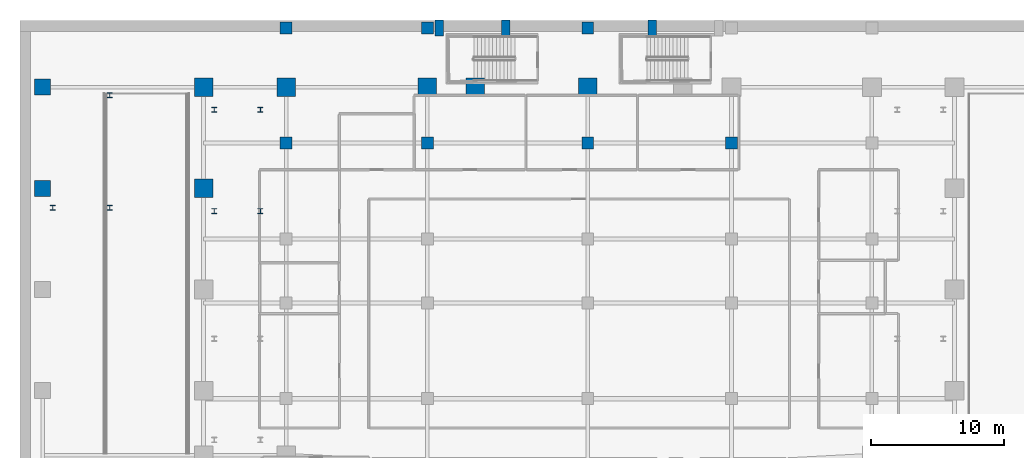
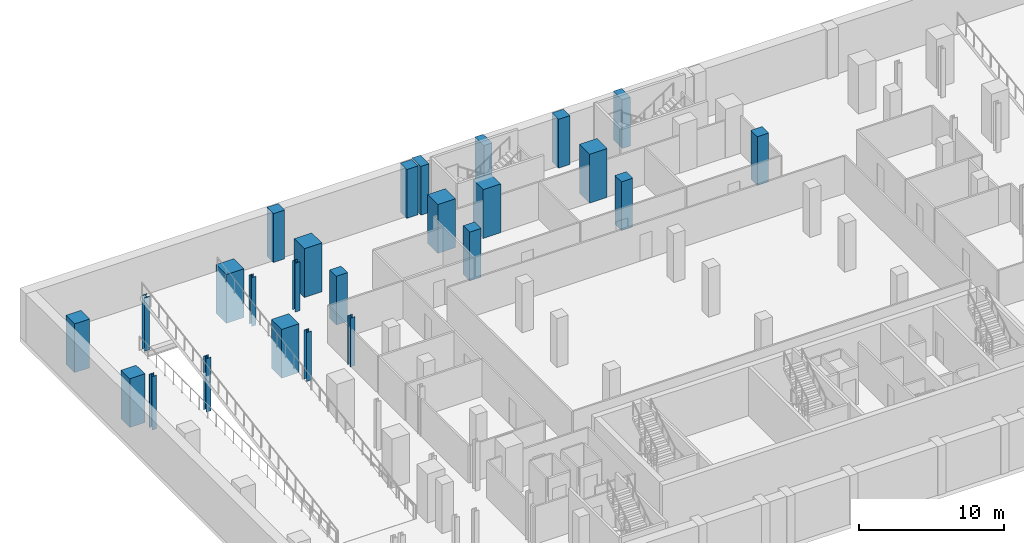
# One storey, part 3 of 18: 25 columns.
"""IFC4 building model written with IfcOpenShell, lengths in metres."""

from ifc_helpers import new_model, si_unit, direction, frame, origin, origin_2d, place, context, subcontext, project, spatial, rectangle, i_section, extrude, material, material_profile, profile_set, type_object, element, save


model = new_model("IFC4")

# Units and contexts
model_context = context("Model", 3, precision=1e-05, world=origin(), true_north=direction((0.0, 1.0)))
body_context = subcontext(model_context, "Body", "Model", "MODEL_VIEW")
ifc_project = project(units=[si_unit("LENGTHUNIT", "METRE"), si_unit("AREAUNIT", "SQUARE_METRE"), si_unit("VOLUMEUNIT", "CUBIC_METRE"), si_unit("PLANEANGLEUNIT", "RADIAN"), si_unit("MASSUNIT", "GRAM", prefix="KILO")], contexts=[model_context])

# Site, building, storey
site_placement = place(None, origin())
site = spatial("IfcSite", under=ifc_project, at=site_placement, CompositionType="ELEMENT")
building_placement = place(site_placement, origin())
building = spatial("IfcBuilding", under=site, at=building_placement, Name="Ndaravel Arena Tower", CompositionType="ELEMENT")
storey_placement = place(building_placement, frame((0.0, 0.0, -4.5)))
storey = spatial("IfcBuildingStorey", under=building, at=storey_placement, Name="B01", CompositionType="ELEMENT", Elevation=-4.5)

# Columns
ifc_material_1 = material(Name="Concrete C40/50", Category="concrete")
ifc_material_profile_1 = material_profile(ifc_material_1, rectangle(XDim=0.89990234375, YDim=0.89990234375, at=origin_2d()), Name="RC 900x900")
ifc_profile_set_1 = profile_set([ifc_material_profile_1], Name="Concrete C40/50")
column_type_1 = type_object("IfcColumnType", Name="COL-BSMT-RC900", PredefinedType="COLUMN", material=ifc_profile_set_1)
for number, where, z_axis, x_axis, name in (
    (1, (20.0, 47.449951171875, 0.0), (0.0, 0.0, 1.0), (1.0, 0.0, 0.0), "B01 North Concourse Column 1"),
    (2, (30.60009765625, 47.449951171875, 0.0), (0.0, 0.0, 1.0), (1.0, 0.0, 0.0), "B01 North Concourse Column 2"),
    (3, (42.64990234375, 47.449951171875, 0.0), (0.0, 0.0, 1.0), (1.0, 0.0, 0.0), "B01 North Concourse Column 3"),
    (4, (20.0, 38.800048828125, 0.0), (0.0, 0.0, 1.0), (1.0, 0.0, 0.0), "B01 Sub-Court Column 04"),
    (5, (30.60009765625, 38.800048828125, 0.0), (0.0, 0.0, 1.0), (1.0, 0.0, 0.0), "B01 Sub-Court Column 08"),
    (6, (42.64990234375, 38.800048828125, 0.0), (0.0, 0.0, 1.0), (1.0, 0.0, 0.0), "B01 Sub-Court Column 12"),
    (7, (53.449951171875, 38.800048828125, 0.0), (0.0, 0.0, 1.0), (1.0, 0.0, 0.0), "B01 Sub-Court Column 16"),
):
    element("IfcColumn", number, at=place(storey_placement, frame(where, z_axis=z_axis, x_axis=x_axis)), inside=storey, type_object=column_type_1, Name=name, PredefinedType="COLUMN", context=body_context, shape_type="SweptSolid", body=[
        extrude(rectangle(XDim=0.89990234375, YDim=0.89990234375, at=origin_2d()), origin(), (0.0, 0.0, 1.0), 4.10009765625),
    ])
ifc_material_2 = material(Name="Steel S355", Category="steel")
ifc_material_profile_2 = material_profile(ifc_material_2, i_section(OverallWidth=0.374755859375, OverallDepth=0.37451171875, WebThickness=0.0166015625, FlangeThickness=0.027099609375, FilletRadius=0.01513671875, at=origin_2d()), Name="UC 356x368x202")
ifc_profile_set_2 = profile_set([ifc_material_profile_2], Name="Steel S355")
column_type_2 = type_object("IfcColumnType", Name="COL-CRN-UC202", PredefinedType="COLUMN", material=ifc_profile_set_2)
for number, where, z_axis, x_axis, name in (
    (8, (2.449951171875, 33.949951171875, 0.0), (0.0, 0.0, 1.0), (1.0, 0.0, 0.0), "B01 Garden Stair ST-GDN-1 Pier 1.1"),
    (9, (6.75, 33.949951171875, 0.0), (0.0, 0.0, 1.0), (1.0, 0.0, 0.0), "B01 Garden Stair ST-GDN-1 Pier 2.1"),
    (10, (6.75, 42.39990234375, 0.0), (0.0, 0.0, 1.0), (1.0, 0.0, 0.0), "B01 Garden Stair ST-GDN-1 Pier 2.2"),
):
    element("IfcColumn", number, at=place(storey_placement, frame(where, z_axis=z_axis, x_axis=x_axis)), inside=storey, type_object=column_type_2, Name=name, PredefinedType="COLUMN", context=body_context, shape_type="SweptSolid", body=[
        extrude(i_section(OverallWidth=0.374755859375, OverallDepth=0.37451171875, WebThickness=0.0166015625, FlangeThickness=0.027099609375, FilletRadius=0.01513671875, at=origin_2d()), origin(), (0.0, 0.0, 1.0), 4.5),
    ])
for number, where, z_axis, x_axis, name in (
    (11, (14.60009765625, 33.699951171875, 0.0), (0.0, 0.0, 1.0), (1.0, 0.0, 0.0), "B01 Vomitory Stair ST-VOM-2 Pier 1.1"),
    (12, (14.60009765625, 41.300048828125, 0.0), (0.0, 0.0, 1.0), (1.0, 0.0, 0.0), "B01 Vomitory Stair ST-VOM-2 Pier 1.2"),
    (13, (18.06005859375, 33.699951171875, 0.0), (0.0, 0.0, 1.0), (1.0, 0.0, 0.0), "B01 Vomitory Stair ST-VOM-2 Pier 2.1"),
    (14, (18.06005859375, 41.300048828125, 0.0), (0.0, 0.0, 1.0), (1.0, 0.0, 0.0), "B01 Vomitory Stair ST-VOM-2 Pier 2.2"),
):
    element("IfcColumn", number, at=place(storey_placement, frame(where, z_axis=z_axis, x_axis=x_axis)), inside=storey, type_object=column_type_2, Name=name, PredefinedType="COLUMN", context=body_context, shape_type="SweptSolid", body=[
        extrude(i_section(OverallWidth=0.374755859375, OverallDepth=0.37451171875, WebThickness=0.0166015625, FlangeThickness=0.027099609375, FilletRadius=0.01513671875, at=origin_2d()), origin(), (0.0, 0.0, 1.0), 4.10009765625),
    ])
ifc_material_3 = material(Name="Concrete C60/75", Category="concrete")
ifc_material_profile_3 = material_profile(ifc_material_3, rectangle(XDim=1.199951171875, YDim=1.199951171875, at=origin_2d()), Name="RC 1200x1200")
ifc_profile_set_3 = profile_set([ifc_material_profile_3], Name="Concrete C60/75")
column_type_3 = type_object("IfcColumnType", Name="COL-MEGA-RC1200", PredefinedType="COLUMN", material=ifc_profile_set_3)
for number, where, z_axis, x_axis, name in (
    (15, (1.699951171875, 35.39990234375, 0.0), (0.0, 0.0, 1.0), (1.0, 0.0, 0.0), "B01 Perimeter Mega Column 05"),
    (16, (1.699951171875, 43.0, 0.0), (0.0, 0.0, 1.0), (1.0, 0.0, 0.0), "B01 Perimeter Mega Column 06"),
):
    element("IfcColumn", number, at=place(storey_placement, frame(where, z_axis=z_axis, x_axis=x_axis)), inside=storey, type_object=column_type_3, Name=name, PredefinedType="COLUMN", context=body_context, shape_type="SweptSolid", body=[
        extrude(rectangle(XDim=1.199951171875, YDim=1.199951171875, at=origin_2d()), origin(), (0.0, 0.0, 1.0), 4.10009765625),
    ])
ifc_material_4 = material(Name="Concrete C60/75", Category="concrete")
ifc_material_profile_4 = material_profile(ifc_material_4, rectangle(XDim=1.39990234375, YDim=1.39990234375, at=origin_2d()), Name="RC 1400x1400")
ifc_profile_set_4 = profile_set([ifc_material_profile_4], Name="Concrete C60/75")
column_type_4 = type_object("IfcColumnType", Name="COL-MEGA-RC1400", PredefinedType="COLUMN", material=ifc_profile_set_4)
for number, where, z_axis, x_axis, name in (
    (17, (13.800048828125, 35.39990234375, 0.0), (0.0, 0.0, 1.0), (1.0, 0.0, 0.0), "B01 Arena Ring Mega Column 04"),
    (18, (13.800048828125, 43.0, 0.0), (0.0, 0.0, 1.0), (1.0, 0.0, 0.0), "B01 Arena Ring Mega Column 05"),
    (19, (20.0, 43.0, 0.0), (0.0, 0.0, 1.0), (1.0, 0.0, 0.0), "B01 Arena Ring Mega Column 13"),
    (20, (30.60009765625, 43.0, 0.0), (0.0, 0.0, 1.0), (1.0, 0.0, 0.0), "B01 Arena Ring Mega Column 14"),
    (21, (34.199951171875, 43.0, 0.0), (0.0, 0.0, 1.0), (1.0, 0.0, 0.0), "B01 Arena Ring Mega Column 15"),
    (22, (42.64990234375, 43.0, 0.0), (0.0, 0.0, 1.0), (1.0, 0.0, 0.0), "B01 Arena Ring Mega Column 16"),
):
    element("IfcColumn", number, at=place(storey_placement, frame(where, z_axis=z_axis, x_axis=x_axis)), inside=storey, type_object=column_type_4, Name=name, PredefinedType="COLUMN", context=body_context, shape_type="SweptSolid", body=[
        extrude(rectangle(XDim=1.39990234375, YDim=1.39990234375, at=origin_2d()), origin(), (0.0, 0.0, 1.0), 4.10009765625),
    ])
ifc_material_5 = material(Name="Concrete C40/50", Category="concrete")
ifc_material_profile_5 = material_profile(ifc_material_5, rectangle(XDim=0.64990234375, YDim=1.199951171875, at=origin_2d()), Name="RC 650x1200")
ifc_profile_set_5 = profile_set([ifc_material_profile_5], Name="Concrete C40/50")
column_type_5 = type_object("IfcColumnType", Name="COL-PIL-RC650", PredefinedType="PILASTER", material=ifc_profile_set_5)
for number, where, z_axis, x_axis, name in (
    (23, (31.5, 47.449951171875, 0.0), (0.0, 0.0, 1.0), (1.0, 0.0, 0.0), "B01 North Canopy Pilaster 01"),
    (24, (36.5, 47.449951171875, 0.0), (0.0, 0.0, 1.0), (1.0, 0.0, 0.0), "B01 North Canopy Pilaster 02"),
    (25, (47.5, 47.449951171875, 0.0), (0.0, 0.0, 1.0), (1.0, 0.0, 0.0), "B01 North Canopy Pilaster 03"),
):
    element("IfcColumn", number, at=place(storey_placement, frame(where, z_axis=z_axis, x_axis=x_axis)), inside=storey, type_object=column_type_5, Name=name, PredefinedType="PILASTER", context=body_context, shape_type="SweptSolid", body=[
        extrude(rectangle(XDim=0.64990234375, YDim=1.199951171875, at=origin_2d()), origin(), (0.0, 0.0, 1.0), 4.10009765625),
    ])

save(model, "model.ifc")
